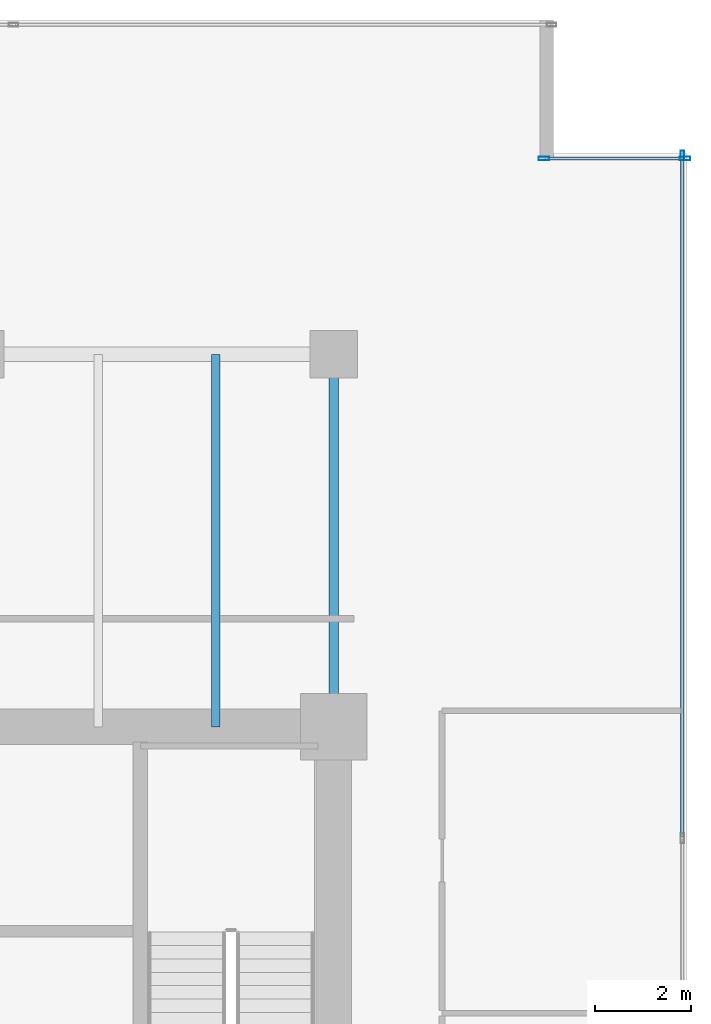
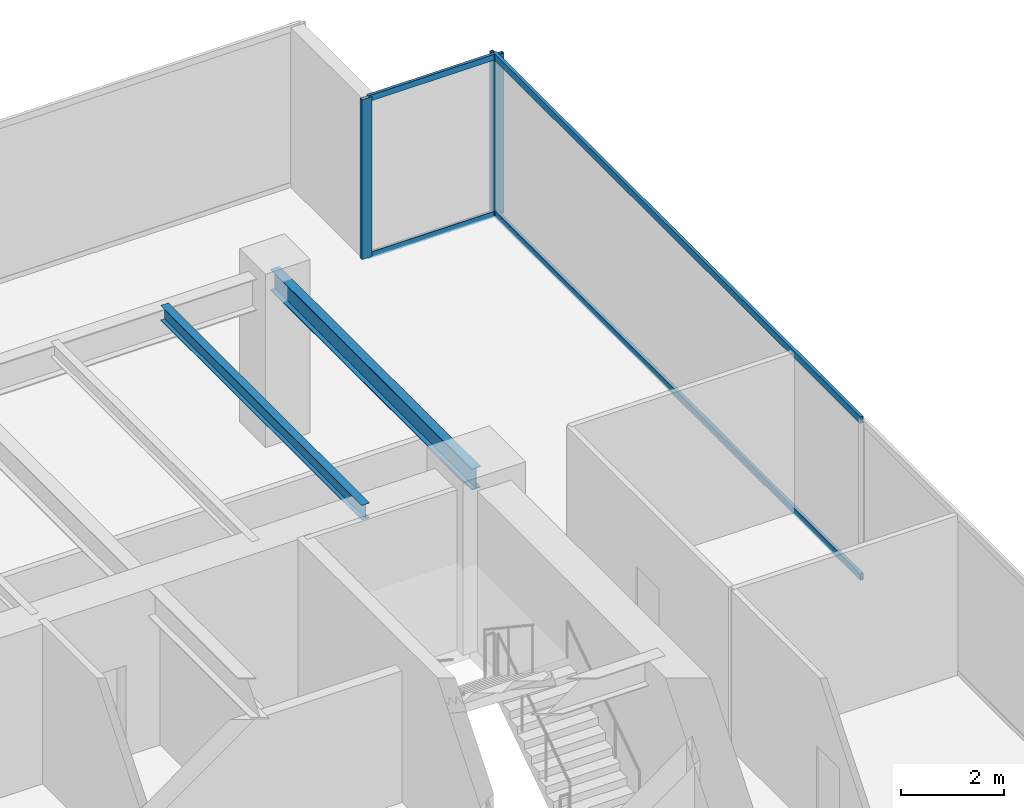
# One storey, part 26 of 35: 7 members, 2 beams, 2 elements without a shape of their own.
"""IFC4 building model written with IfcOpenShell, lengths in metres."""

from ifc_helpers import new_model, si_unit, direction, frame, origin, origin_2d, place, context, subcontext, project, spatial, hollow_rectangle, i_section, extrude, source, transform, mapped, material, layer, layer_set, material_profile, profile_set, type_object, type_shapes, element, aggregate, save


model = new_model("IFC4")

# Units and contexts
model_context = context("Model", 3, precision=1e-05, world=origin(), true_north=direction((0.0, 1.0)))
body_context = subcontext(model_context, "Body", "Model", "MODEL_VIEW")
ifc_project = project(units=[si_unit("LENGTHUNIT", "METRE"), si_unit("AREAUNIT", "SQUARE_METRE"), si_unit("VOLUMEUNIT", "CUBIC_METRE"), si_unit("PLANEANGLEUNIT", "RADIAN"), si_unit("MASSUNIT", "GRAM", prefix="KILO")], contexts=[model_context])

# Site, building, storey
site_placement = place(None, origin())
site = spatial("IfcSite", under=ifc_project, at=site_placement, CompositionType="ELEMENT")
building_placement = place(site_placement, origin())
building = spatial("IfcBuilding", under=site, at=building_placement, Name="Haelvirn Gate Laboratories", CompositionType="ELEMENT")
storey_placement = place(building_placement, frame((0.0, 0.0, 86.699951171875)))
storey = spatial("IfcBuildingStorey", under=building, at=storey_placement, Name="L21", CompositionType="ELEMENT", Elevation=86.699951171875)

# Beams
ifc_material_1 = material(Name="Steel SM355", Category="steel")
ifc_material_profile_1 = material_profile(ifc_material_1, i_section(OverallWidth=0.199951171875, OverallDepth=0.5, WebThickness=0.010009765625, FlangeThickness=0.01611328125, at=origin_2d()), Name="H-500x200x10x16")
ifc_profile_set_1 = profile_set([ifc_material_profile_1], Name="Steel SM355")
beam_type_1 = type_object("IfcBeamType", Name="BM-SP-500", PredefinedType="SPANDREL", material=ifc_profile_set_1)
shared_shape_1 = source(origin(), body_context, "Body", "SweptSolid", [
    extrude(i_section(OverallWidth=0.199951171875, OverallDepth=0.5, WebThickness=0.010009765625, FlangeThickness=0.01611328125, at=origin_2d()), origin(), (0.0, 0.0, 1.0), 7.800048828125),
])
type_shapes(beam_type_1, [shared_shape_1])
beam_1_placement = place(storey_placement, frame((67.39990234375, 33.800048828125, 3.530029296875), z_axis=(0.0, 1.0, 0.0), x_axis=(-1.0, 0.0, 0.0)))
element("IfcBeam", 1, at=beam_1_placement, inside=storey, type_object=beam_type_1, Name="L21 Perimeter Spandrel X67.4 (33.8-41.6)", PredefinedType="SPANDREL", context=body_context, shape_type="MappedRepresentation", body=[
    mapped(shared_shape_1, transform((0.0, 0.0, 0.0), scale=1.0)),
])
ifc_material_profile_2 = material_profile(ifc_material_1, i_section(OverallWidth=0.175048828125, OverallDepth=0.35009765625, WebThickness=0.007080078125, FlangeThickness=0.010986328125, at=origin_2d()), Name="H-350x175x7x11")
ifc_profile_set_2 = profile_set([ifc_material_profile_2], Name="Steel SM355")
beam_type_2 = type_object("IfcBeamType", Name="BM-J-350", PredefinedType="JOIST", material=ifc_profile_set_2)
shared_shape_2 = source(origin(), body_context, "Body", "SweptSolid", [
    extrude(i_section(OverallWidth=0.175048828125, OverallDepth=0.35009765625, WebThickness=0.007080078125, FlangeThickness=0.010986328125, at=origin_2d()), origin(), (0.0, 0.0, 1.0), 7.800048828125),
])
type_shapes(beam_type_2, [shared_shape_2])
beam_2_placement = place(storey_placement, frame((64.929931640625, 33.800048828125, 3.60498046875), z_axis=(0.0, 1.0, 0.0), x_axis=(-1.0, 0.0, 0.0)))
element("IfcBeam", 2, at=beam_2_placement, inside=storey, type_object=beam_type_2, Name="L21 Composite Lab Joist North X64.93", PredefinedType="JOIST", context=body_context, shape_type="MappedRepresentation", body=[
    mapped(shared_shape_2, transform((0.0, 0.0, 0.0), scale=1.0)),
])

# Curtain wall, member
ifc_material_2 = material(Name="Anodised bronze unitised aluminium & triple low-E glass", Category="aluminium")
ifc_layer_1 = layer(ifc_material_2, 0.18408203125, Name="CW-SYS-2")
ifc_layer_set_1 = layer_set([ifc_layer_1], Name="Anodised bronze unitised aluminium & triple low-E glass")
curtain_wall_type_1 = type_object("IfcCurtainWallType", Name="CW-SYS-2", PredefinedType="NOTDEFINED", material=ifc_layer_set_1)
curtain_wall_1_placement = place(storey_placement, origin())
curtain_wall_1 = element("IfcCurtainWall", 3, at=curtain_wall_1_placement, inside=storey, type_object=curtain_wall_type_1, Name="L21 Unitised Curtain Wall CW-L21-P0-E07", PredefinedType="NOTDEFINED")
ifc_material_3 = material(Name="Extruded aluminium 6063-T6 (anodised bronze)", Category="aluminium")
ifc_material_profile_3 = material_profile(ifc_material_3, hollow_rectangle(XDim=0.074951171875, YDim=0.199951171875, WallThickness=0.0048828125, at=origin_2d()), Name="CWM-200x75x5")
ifc_profile_set_3 = profile_set([ifc_material_profile_3], Name="Extruded aluminium 6063-T6 (anodised bronze)")
member_type_1 = type_object("IfcMemberType", Name="CWM-T200", PredefinedType="MULLION", material=ifc_profile_set_3)
shared_shape_3 = source(origin(), body_context, "Body", "SweptSolid", [
    extrude(hollow_rectangle(XDim=0.074951171875, YDim=0.199951171875, WallThickness=0.0048828125, at=origin_2d()), origin(), (0.0, 0.0, 1.0), 3.780029296875),
])
type_shapes(member_type_1, [shared_shape_3])
member_1_placement = place(storey_placement, frame((74.699951171875, 45.762451171875, 0.0), z_axis=(0.0, 0.0, 1.0), x_axis=(-1.0, 0.0, 0.0)))
member_1 = element("IfcMember", 4, at=member_1_placement, type_object=member_type_1, Name="CW2 mullion 4", PredefinedType="MULLION", context=body_context, shape_type="MappedRepresentation", body=[
    mapped(shared_shape_3, transform((0.0, 0.0, 0.0), scale=1.0)),
])

# Curtain wall, members
ifc_layer_2 = layer(ifc_material_2, 0.181884765625, Name="CW-SYS-5")
ifc_layer_set_2 = layer_set([ifc_layer_2], Name="Anodised bronze unitised aluminium & triple low-E glass")
curtain_wall_type_2 = type_object("IfcCurtainWallType", Name="CW-SYS-5", PredefinedType="NOTDEFINED", material=ifc_layer_set_2)
curtain_wall_2_placement = place(storey_placement, origin())
curtain_wall_2 = element("IfcCurtainWall", 5, at=curtain_wall_2_placement, inside=storey, type_object=curtain_wall_type_2, Name="L21 Unitised Curtain Wall CW-L21-P0-E08-1", PredefinedType="NOTDEFINED")
ifc_material_profile_4 = material_profile(ifc_material_3, hollow_rectangle(XDim=0.080078125, YDim=0.219970703125, WallThickness=0.006103515625, at=origin_2d()), Name="CWM-220x80x6")
ifc_profile_set_4 = profile_set([ifc_material_profile_4], Name="Extruded aluminium 6063-T6 (anodised bronze)")
member_type_2 = type_object("IfcMemberType", Name="CWM-T220", PredefinedType="MULLION", material=ifc_profile_set_4)
shared_shape_4 = source(origin(), body_context, "Body", "SweptSolid", [
    extrude(hollow_rectangle(XDim=0.080078125, YDim=0.219970703125, WallThickness=0.006103515625, at=origin_2d()), origin(), (0.0, 0.0, 1.0), 3.780029296875),
])
type_shapes(member_type_2, [shared_shape_4])
member_2_placement = place(storey_placement, frame((71.800048828125, 45.699951171875, 0.0), z_axis=(0.0, 0.0, 1.0), x_axis=(0.0, 1.0, 0.0)))
member_2 = element("IfcMember", 6, at=member_2_placement, type_object=member_type_2, Name="CW5 mullion 1", PredefinedType="MULLION", context=body_context, shape_type="MappedRepresentation", body=[
    mapped(shared_shape_4, transform((0.0, 0.0, 0.0), scale=1.0)),
])
member_3_placement = place(storey_placement, frame((74.760009765625, 45.699951171875, 0.0), z_axis=(0.0, 0.0, 1.0), x_axis=(0.0, 1.0, 0.0)))
member_3 = element("IfcMember", 7, at=member_3_placement, type_object=member_type_2, Name="CW5 mullion 2", PredefinedType="MULLION", context=body_context, shape_type="MappedRepresentation", body=[
    mapped(shared_shape_4, transform((0.0, 0.0, 0.0), scale=1.0)),
])
ifc_material_profile_5 = material_profile(ifc_material_3, hollow_rectangle(XDim=0.06494140625, YDim=0.139892578125, WallThickness=0.00390625, at=origin_2d()), Name="CWT-140x65x4")
ifc_profile_set_5 = profile_set([ifc_material_profile_5], Name="Extruded aluminium 6063-T6 (anodised bronze)")
member_type_3 = type_object("IfcMemberType", Name="CWT-T140", PredefinedType="USERDEFINED", material=ifc_profile_set_5)
shared_shape_5 = source(origin(), body_context, "Body", "SweptSolid", [
    extrude(hollow_rectangle(XDim=0.06494140625, YDim=0.139892578125, WallThickness=0.00390625, at=origin_2d()), origin(), (0.0, 0.0, 1.0), 2.8798828125),
])
type_shapes(member_type_3, [shared_shape_5])
member_4_placement = place(storey_placement, frame((71.840087890625, 45.699951171875, 0.032470703125), z_axis=(1.0, 0.0, 0.0), x_axis=(0.0, 1.0, 0.0)))
member_4 = element("IfcMember", 8, at=member_4_placement, type_object=member_type_3, Name="CW5 transom 1.1", ObjectType="TRANSOM", PredefinedType="USERDEFINED", context=body_context, shape_type="MappedRepresentation", body=[
    mapped(shared_shape_5, transform((0.0, 0.0, 0.0), scale=1.0)),
])
member_5_placement = place(storey_placement, frame((71.840087890625, 45.699951171875, 3.74755859375), z_axis=(1.0, 0.0, 0.0), x_axis=(0.0, 1.0, 0.0)))
member_5 = element("IfcMember", 9, at=member_5_placement, type_object=member_type_3, Name="CW5 transom 1.2", ObjectType="TRANSOM", PredefinedType="USERDEFINED", context=body_context, shape_type="MappedRepresentation", body=[
    mapped(shared_shape_5, transform((0.0, 0.0, 0.0), scale=1.0)),
])
aggregate(curtain_wall_2, [member_2, member_3, member_4, member_5])

# Member
ifc_material_profile_6 = material_profile(ifc_material_3, hollow_rectangle(XDim=0.070068359375, YDim=0.159912109375, WallThickness=0.0048828125, at=origin_2d()), Name="CWT-160x70x5")
ifc_profile_set_6 = profile_set([ifc_material_profile_6], Name="Extruded aluminium 6063-T6 (anodised bronze)")
member_type_4 = type_object("IfcMemberType", Name="CWT-T160", PredefinedType="USERDEFINED", material=ifc_profile_set_6)
shared_shape_6 = source(origin(), body_context, "Body", "SweptSolid", [
    extrude(hollow_rectangle(XDim=0.070068359375, YDim=0.159912109375, WallThickness=0.0048828125, at=origin_2d()), origin(), (0.0, 0.0, 1.0), 14.220947265625),
])
type_shapes(member_type_4, [shared_shape_6])
member_6_placement = place(storey_placement, frame((74.699951171875, 31.504150390625, 0.03515625), z_axis=(0.0, 1.0, 0.0), x_axis=(-1.0, 0.0, 0.0)))
member_6 = element("IfcMember", 10, at=member_6_placement, type_object=member_type_4, Name="CW2 transom 3.1", ObjectType="TRANSOM", PredefinedType="USERDEFINED", context=body_context, shape_type="MappedRepresentation", body=[
    mapped(shared_shape_6, transform((0.0, 0.0, 0.0), scale=1.0)),
])

member_7_placement = place(storey_placement, frame((74.699951171875, 31.504150390625, 3.7451171875), z_axis=(0.0, 1.0, 0.0), x_axis=(-1.0, 0.0, 0.0)))
member_7 = element("IfcMember", 11, at=member_7_placement, type_object=member_type_4, Name="CW2 transom 3.2", ObjectType="TRANSOM", PredefinedType="USERDEFINED", context=body_context, shape_type="MappedRepresentation", body=[
    mapped(shared_shape_6, transform((0.0, 0.0, 0.0), scale=1.0)),
])

aggregate(curtain_wall_1, [member_1, member_6, member_7])

save(model, "model.ifc")
